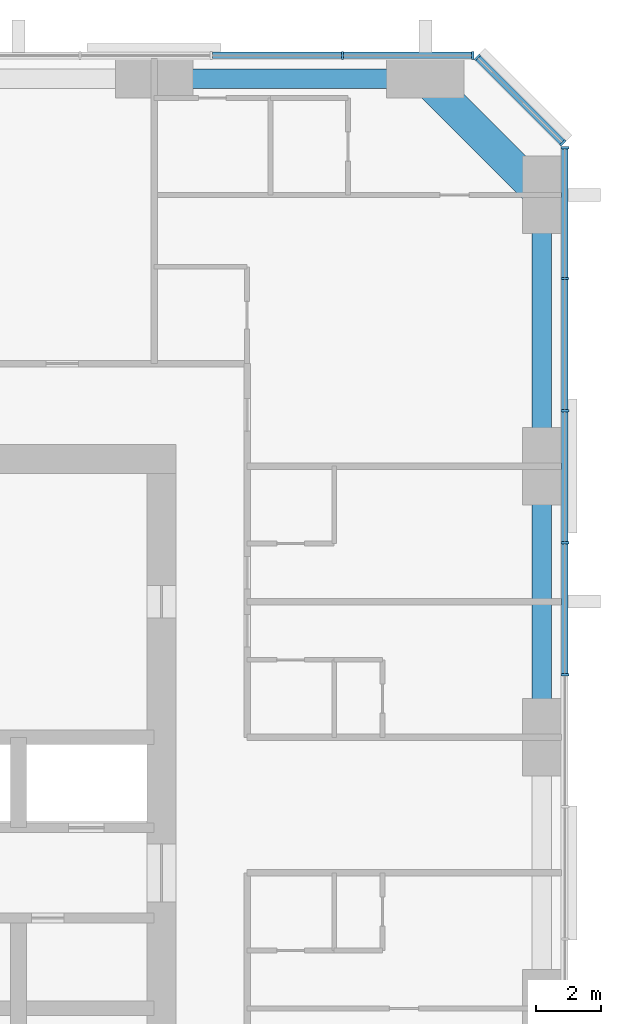
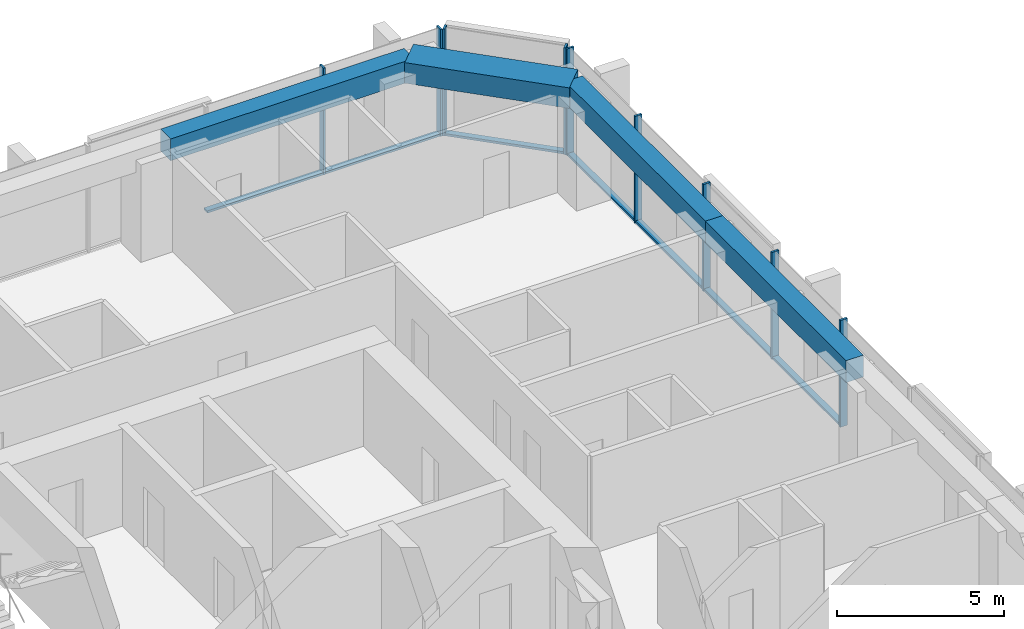
# One storey, part 5 of 12: 16 members, 4 beams, 3 elements without a shape of their own.
"""IFC4 building model written with IfcOpenShell, lengths in metres."""

import ifcopenshell
import ifcopenshell.guid

model = None  # the IFC model being written
_history = None  # IfcOwnerHistory: only IFC2X3 demands one
_inside = {}  # id of a spatial element -> (the spatial element, [elements in it])
_under = {}  # id of a project, library or spatial element -> (it, [spatial elements below it])
_declared = {}  # id of a project -> (the project, [libraries it declares])
_typed = {}  # id of a type object -> (the type object, [elements of that type])
_made_of = {}  # id of a material, layer set ... -> (it, [elements and type objects made of it])


def new_model(schema):
    """Start an empty IFC model of exactly this schema.

    Asked for "IFC4X3", IfcOpenShell would pick the latest addendum, in which some entities
    have other attributes; the version numbers below select the first issue.
    IFC2X3 requires an IfcOwnerHistory on every rooted entity: one is made here for all.
    """
    global model, _history
    if schema == "IFC4X3":
        model = ifcopenshell.file(schema_version=(4, 3, 0, 0))
    else:
        model = ifcopenshell.file(schema=schema)
    _inside.clear()
    _under.clear()
    _declared.clear()
    _typed.clear()
    _made_of.clear()
    _history = None
    if model.schema == "IFC2X3":
        org = make("IfcOrganization", Name="unknown")
        user = make(
            "IfcPersonAndOrganization",
            ThePerson=make("IfcPerson", FamilyName="unknown"),
            TheOrganization=org,
        )
        app = make(
            "IfcApplication",
            ApplicationDeveloper=org,
            Version="unknown",
            ApplicationFullName="unknown",
            ApplicationIdentifier="unknown",
        )
        _history = make(
            "IfcOwnerHistory",
            OwningUser=user,
            OwningApplication=app,
            ChangeAction="ADDED",
            CreationDate=0,
        )
    return model


def make(cls, **values):
    """One entity of the class cls with the attributes given. An attribute that is None is left unset."""
    return model.create_entity(
        cls, **{name: value for name, value in values.items() if value is not None}
    )


def rooted(cls, **values):
    """An entity with a GlobalId (a new one), such as an element, a storey or a relation."""
    return make(cls, GlobalId=ifcopenshell.guid.new(), OwnerHistory=_history, **values)


def si_unit(unit_type, name, prefix=None):
    """IfcSIUnit, for example si_unit("LENGTHUNIT", "METRE", prefix="MILLI")."""
    return make("IfcSIUnit", UnitType=unit_type, Prefix=prefix, Name=name)


def assignment(units):
    """IfcUnitAssignment: the units of a project."""
    return None if units is None else make("IfcUnitAssignment", Units=units)


def point(xyz):
    """IfcCartesianPoint."""
    return None if xyz is None else make("IfcCartesianPoint", Coordinates=xyz)


def direction(xyz):
    """IfcDirection."""
    return None if xyz is None else make("IfcDirection", DirectionRatios=xyz)


def frame(location, z_axis=None, x_axis=None):
    """IfcAxis2Placement3D, a coordinate frame: its origin and axes. An axis left out is left unset."""
    return make(
        "IfcAxis2Placement3D",
        Location=point(location),
        Axis=direction(z_axis),
        RefDirection=direction(x_axis),
    )


def frame_2d(location, x_axis=None):
    """IfcAxis2Placement2D, a coordinate frame in the plane: its origin and x axis."""
    return make(
        "IfcAxis2Placement2D", Location=point(location), RefDirection=direction(x_axis)
    )


def origin():
    """The frame at (0, 0, 0) with its axes left unset."""
    return frame((0.0, 0.0, 0.0))


def origin_2d():
    """The frame at (0, 0) in the plane with its x axis left unset."""
    return frame_2d((0.0, 0.0))


def place(relative_to, where):
    """IfcLocalPlacement: puts the frame where relative to a parent placement (None: the world)."""
    return make(
        "IfcLocalPlacement", PlacementRelTo=relative_to, RelativePlacement=where
    )


def context(
    kind, dimensions, precision=None, world=None, true_north=None, identifier=None
):
    """IfcGeometricRepresentationContext, for example the 3D "Model" context."""
    return make(
        "IfcGeometricRepresentationContext",
        ContextIdentifier=identifier,
        ContextType=kind,
        CoordinateSpaceDimension=dimensions,
        Precision=precision,
        WorldCoordinateSystem=world,
        TrueNorth=true_north,
    )


def subcontext(parent, identifier, kind, view, scale=None):
    """IfcGeometricRepresentationSubContext, for example "Body" below "Model"."""
    return make(
        "IfcGeometricRepresentationSubContext",
        ContextIdentifier=identifier,
        ContextType=kind,
        ParentContext=parent,
        TargetScale=scale,
        TargetView=view,
    )


def project(units=None, contexts=None):
    """IfcProject with its units and contexts."""
    return rooted(
        "IfcProject",
        Name="project",
        RepresentationContexts=contexts,
        UnitsInContext=assignment(units),
    )


def spatial(cls, under=None, at=None, **own):
    """A site, building, storey or space (cls), placed at a placement, below another one or the project."""
    s = rooted(cls, ObjectPlacement=at, **own)
    if under is not None:
        _under.setdefault(under.id(), (under, []))[1].append(s)
    return s


def profile(cls, at=None, kind="AREA", **sizes):
    """A parametric profile (cls). Its sizes go by their IFC names, for example OverallWidth=200.0."""
    return make(cls, ProfileType=kind, Position=at, **sizes)


def rectangle(**sizes):
    """IfcRectangleProfileDef."""
    return profile("IfcRectangleProfileDef", **sizes)


def extrude(swept, where, along, depth):
    """IfcExtrudedAreaSolid: the profile swept, set in the frame where, extruded along a direction by depth."""
    return make(
        "IfcExtrudedAreaSolid",
        SweptArea=swept,
        Position=where,
        ExtrudedDirection=direction(along),
        Depth=depth,
    )


def shape(context_of_items, identifier, shape_type, items):
    """IfcShapeRepresentation: the items that make up one representation, for example the "Body"."""
    return make(
        "IfcShapeRepresentation",
        ContextOfItems=context_of_items,
        RepresentationIdentifier=identifier,
        RepresentationType=shape_type,
        Items=items,
    )


def material(Name=None, Category=None):
    """IfcMaterial."""
    return make("IfcMaterial", Name=Name, Category=Category)


def material_profile(
    of_material, cross_section, Name=None, Category=None, Priority=None
):
    """IfcMaterialProfile: a cross section and its material."""
    return make(
        "IfcMaterialProfile",
        Name=Name,
        Material=of_material,
        Profile=cross_section,
        Priority=Priority,
        Category=Category,
    )


def profile_set(profiles, Name=None, composite=None):
    """IfcMaterialProfileSet."""
    return make(
        "IfcMaterialProfileSet",
        Name=Name,
        MaterialProfiles=profiles,
        CompositeProfile=composite,
    )


def made_of(thing, what):
    """Note that an element or type object is made of a material, layer set ...; save() writes the relation."""
    if what is not None:
        _made_of.setdefault(what.id(), (what, []))[1].append(thing)
    return thing


def type_object(cls, material=None, **own):
    """A type object (cls), such as IfcWallType, which elements share."""
    return made_of(rooted(cls, **own), material)


def element(
    cls,
    number,
    at=None,
    inside=None,
    cuts=None,
    type_object=None,
    material=None,
    context=None,
    identifier="Body",
    shape_type=None,
    held_by="IfcProductDefinitionShape",
    body=None,
    shapes=None,
    **own,
):
    """One element of the class cls, such as IfcWall. Its Tag is "e" and its number.

    at: its placement. inside: the storey or other place that contains it. cuts: it is an
    opening in that element (IfcRelVoidsElement). A single representation is given by context,
    identifier, shape_type and body (its items); several are given by shapes. held_by: the class
    of the entity that holds the representations. save() writes the other relations.
    """
    e = rooted(cls, Tag="e%d" % number, ObjectPlacement=at, **own)
    if body is not None:
        shapes = [shape(context, identifier, shape_type, body)]
    if shapes is not None:
        e.Representation = make(held_by, Representations=shapes)
    if inside is not None:
        _inside.setdefault(inside.id(), (inside, []))[1].append(e)
    if cuts is not None:
        rooted(
            "IfcRelVoidsElement", RelatingBuildingElement=cuts, RelatedOpeningElement=e
        )
    if type_object is not None:
        _typed.setdefault(type_object.id(), (type_object, []))[1].append(e)
    return made_of(e, material)


def aggregate(whole, parts):
    """IfcRelAggregates: a whole, such as a stair, and the parts it consists of."""
    return rooted("IfcRelAggregates", RelatingObject=whole, RelatedObjects=parts)


def save(model, path):
    """Write the relations noted so far, then the file.

    IfcRelAggregates (storeys below a building ...), IfcRelContainedInSpatialStructure (elements
    in a storey), IfcRelDefinesByType, IfcRelAssociatesMaterial and IfcRelDeclares: one each for
    every whole, place, type object, material and project.
    """
    for whole, parts in _under.values():
        aggregate(whole, parts)
    for where, things in _inside.values():
        rooted(
            "IfcRelContainedInSpatialStructure",
            RelatedElements=things,
            RelatingStructure=where,
        )
    for kind, things in _typed.values():
        rooted("IfcRelDefinesByType", RelatedObjects=things, RelatingType=kind)
    for what, things in _made_of.values():
        rooted("IfcRelAssociatesMaterial", RelatedObjects=things, RelatingMaterial=what)
    for by, libraries in _declared.values():
        rooted("IfcRelDeclares", RelatingContext=by, RelatedDefinitions=libraries)
    model.write(path)


model = new_model("IFC4")

# Units and contexts
model_context = context("Model", 3, precision=1e-05, world=origin(), true_north=direction((0.0, 1.0)))
body_context = subcontext(model_context, "Body", "Model", "MODEL_VIEW")
ifc_project = project(units=[si_unit("LENGTHUNIT", "METRE"), si_unit("AREAUNIT", "SQUARE_METRE"), si_unit("VOLUMEUNIT", "CUBIC_METRE"), si_unit("PLANEANGLEUNIT", "RADIAN"), si_unit("MASSUNIT", "GRAM", prefix="KILO")], contexts=[model_context])

# Site, building, storey
site_placement = place(None, origin())
site = spatial("IfcSite", under=ifc_project, at=site_placement, CompositionType="ELEMENT")
building_placement = place(site_placement, origin())
building = spatial("IfcBuilding", under=site, at=building_placement, Name="Dunama Terrace Hotel", CompositionType="ELEMENT")
storey_placement = place(building_placement, frame((0.0, 0.0, 233.39990234375)))
storey = spatial("IfcBuildingStorey", under=building, at=storey_placement, Name="L60", CompositionType="ELEMENT", Elevation=233.39990234375)

# Curtain wall, members
ifc_material_1 = material(Name="Aluminium curtain wall system", Category="aluminium")
curtain_wall_type = type_object("IfcCurtainWallType", Name="Unitised fritted glass wall CW-D", PredefinedType="NOTDEFINED", material=ifc_material_1)
curtain_wall_1_placement = place(storey_placement, origin())
curtain_wall_1 = element("IfcCurtainWall", 1, at=curtain_wall_1_placement, inside=storey, type_object=curtain_wall_type, Name="Unitised fritted glass wall CW-D L60", PredefinedType="NOTDEFINED")
ifc_material_2 = material(Name="Aluminium mullion", Category="aluminium")
ifc_material_profile_1 = material_profile(ifc_material_2, rectangle(XDim=0.070068359375, YDim=0.239990234375, at=origin_2d()), Name="CWD MULLION 70X240")
ifc_profile_set_1 = profile_set([ifc_material_profile_1], Name="Aluminium mullion")
member_type_1 = type_object("IfcMemberType", Name="CWD mullion 70x240", PredefinedType="MULLION", material=ifc_profile_set_1)
member_1_placement = place(storey_placement, frame((54.719970703125, 35.535888671875, 0.0), z_axis=(0.0, 0.0, 1.0), x_axis=(0.0, 1.0, 0.0)))
member_1 = element("IfcMember", 2, at=member_1_placement, type_object=member_type_1, Name="CWD mullion", PredefinedType="MULLION", context=body_context, shape_type="SweptSolid", body=[
    extrude(rectangle(XDim=0.070068359375, YDim=0.239990234375, at=origin_2d()), origin(), (0.0, 0.0, 1.0), 3.900146484375),
])
member_2_placement = place(storey_placement, frame((54.719970703125, 39.626953125, 0.0), z_axis=(0.0, 0.0, 1.0), x_axis=(0.0, 1.0, 0.0)))
member_2 = element("IfcMember", 3, at=member_2_placement, type_object=member_type_1, Name="CWD mullion", PredefinedType="MULLION", context=body_context, shape_type="SweptSolid", body=[
    extrude(rectangle(XDim=0.070068359375, YDim=0.239990234375, at=origin_2d()), origin(), (0.0, 0.0, 1.0), 3.900146484375),
])
member_3_placement = place(storey_placement, frame((54.719970703125, 43.718017578125, 0.0), z_axis=(0.0, 0.0, 1.0), x_axis=(0.0, 1.0, 0.0)))
member_3 = element("IfcMember", 4, at=member_3_placement, type_object=member_type_1, Name="CWD mullion", PredefinedType="MULLION", context=body_context, shape_type="SweptSolid", body=[
    extrude(rectangle(XDim=0.070068359375, YDim=0.239990234375, at=origin_2d()), origin(), (0.0, 0.0, 1.0), 3.900146484375),
])
member_4_placement = place(storey_placement, frame((54.719970703125, 47.80908203125, 0.0), z_axis=(0.0, 0.0, 1.0), x_axis=(0.0, 1.0, 0.0)))
member_4 = element("IfcMember", 5, at=member_4_placement, type_object=member_type_1, Name="CWD mullion", PredefinedType="MULLION", context=body_context, shape_type="SweptSolid", body=[
    extrude(rectangle(XDim=0.070068359375, YDim=0.239990234375, at=origin_2d()), origin(), (0.0, 0.0, 1.0), 3.900146484375),
])
member_5_placement = place(storey_placement, frame((54.719970703125, 51.864990234375, 0.0), z_axis=(0.0, 0.0, 1.0), x_axis=(0.0, 1.0, 0.0)))
member_5 = element("IfcMember", 6, at=member_5_placement, type_object=member_type_1, Name="CWD mullion", PredefinedType="MULLION", context=body_context, shape_type="SweptSolid", body=[
    extrude(rectangle(XDim=0.070068359375, YDim=0.239990234375, at=origin_2d()), origin(), (0.0, 0.0, 1.0), 3.900146484375),
])

curtain_wall_2_placement = place(storey_placement, origin())
curtain_wall_2 = element("IfcCurtainWall", 7, at=curtain_wall_2_placement, inside=storey, type_object=curtain_wall_type, Name="Unitised fritted glass wall CW-D L60", PredefinedType="NOTDEFINED")
member_6_placement = place(storey_placement, frame((54.659912109375, 52.010009765625, 0.0), z_axis=(0.0, 0.0, 1.0), x_axis=(-0.707106781187, 0.707106781187, 0.0)))
member_6 = element("IfcMember", 8, at=member_6_placement, type_object=member_type_1, Name="CWD mullion", PredefinedType="MULLION", context=body_context, shape_type="SweptSolid", body=[
    extrude(rectangle(XDim=0.070068359375, YDim=0.239990234375, at=origin_2d()), origin(), (0.0, 0.0, 1.0), 3.900146484375),
])
member_7_placement = place(storey_placement, frame((52.010009765625, 54.659912109375, 0.0), z_axis=(0.0, 0.0, 1.0), x_axis=(-0.707106781187, 0.707106781187, 0.0)))
member_7 = element("IfcMember", 9, at=member_7_placement, type_object=member_type_1, Name="CWD mullion", PredefinedType="MULLION", context=body_context, shape_type="SweptSolid", body=[
    extrude(rectangle(XDim=0.070068359375, YDim=0.239990234375, at=origin_2d()), origin(), (0.0, 0.0, 1.0), 3.900146484375),
])

curtain_wall_3_placement = place(storey_placement, origin())
curtain_wall_3 = element("IfcCurtainWall", 10, at=curtain_wall_3_placement, inside=storey, type_object=curtain_wall_type, Name="Unitised fritted glass wall CW-D L60", PredefinedType="NOTDEFINED")
member_8_placement = place(storey_placement, frame((51.864990234375, 54.719970703125, 0.0), z_axis=(0.0, 0.0, 1.0), x_axis=(-1.0, 0.0, 0.0)))
member_8 = element("IfcMember", 11, at=member_8_placement, type_object=member_type_1, Name="CWD mullion", PredefinedType="MULLION", context=body_context, shape_type="SweptSolid", body=[
    extrude(rectangle(XDim=0.070068359375, YDim=0.239990234375, at=origin_2d()), origin(), (0.0, 0.0, 1.0), 3.900146484375),
])
member_9_placement = place(storey_placement, frame((47.8330078125, 54.719970703125, 0.0), z_axis=(0.0, 0.0, 1.0), x_axis=(-1.0, 0.0, 0.0)))
member_9 = element("IfcMember", 12, at=member_9_placement, type_object=member_type_1, Name="CWD mullion", PredefinedType="MULLION", context=body_context, shape_type="SweptSolid", body=[
    extrude(rectangle(XDim=0.070068359375, YDim=0.239990234375, at=origin_2d()), origin(), (0.0, 0.0, 1.0), 3.900146484375),
])

# Member
ifc_material_3 = material(Name="Aluminium transom", Category="aluminium")
ifc_material_profile_2 = material_profile(ifc_material_3, rectangle(XDim=0.199951171875, YDim=0.0849609375, at=origin_2d()), Name="CWD TRANSOM 200X85")
ifc_profile_set_2 = profile_set([ifc_material_profile_2], Name="Aluminium transom")
member_type_2 = type_object("IfcMemberType", Name="CWD transom 200x85", PredefinedType="USERDEFINED", material=ifc_profile_set_2)
member_10_placement = place(storey_placement, frame((54.719970703125, 35.571044921875, 0.04248046875), z_axis=(0.0, 1.0, 0.0), x_axis=(-1.0, 0.0, 0.0)))
member_10 = element("IfcMember", 13, at=member_10_placement, type_object=member_type_2, Name="CWD transom", ObjectType="TRANSOM", PredefinedType="USERDEFINED", context=body_context, shape_type="SweptSolid", body=[
    extrude(rectangle(XDim=0.199951171875, YDim=0.0849609375, at=origin_2d()), origin(), (0.0, 0.0, 1.0), 4.02099609375),
])

member_11_placement = place(storey_placement, frame((54.719970703125, 39.662109375, 0.04248046875), z_axis=(0.0, 1.0, 0.0), x_axis=(-1.0, 0.0, 0.0)))
member_11 = element("IfcMember", 14, at=member_11_placement, type_object=member_type_2, Name="CWD transom", ObjectType="TRANSOM", PredefinedType="USERDEFINED", context=body_context, shape_type="SweptSolid", body=[
    extrude(rectangle(XDim=0.199951171875, YDim=0.0849609375, at=origin_2d()), origin(), (0.0, 0.0, 1.0), 4.02099609375),
])

member_12_placement = place(storey_placement, frame((54.719970703125, 43.7529296875, 0.04248046875), z_axis=(0.0, 1.0, 0.0), x_axis=(-1.0, 0.0, 0.0)))
member_12 = element("IfcMember", 15, at=member_12_placement, type_object=member_type_2, Name="CWD transom", ObjectType="TRANSOM", PredefinedType="USERDEFINED", context=body_context, shape_type="SweptSolid", body=[
    extrude(rectangle(XDim=0.199951171875, YDim=0.0849609375, at=origin_2d()), origin(), (0.0, 0.0, 1.0), 4.02099609375),
])

member_13_placement = place(storey_placement, frame((54.719970703125, 47.843994140625, 0.04248046875), z_axis=(0.0, 1.0, 0.0), x_axis=(-1.0, 0.0, 0.0)))
member_13 = element("IfcMember", 16, at=member_13_placement, type_object=member_type_2, Name="CWD transom", ObjectType="TRANSOM", PredefinedType="USERDEFINED", context=body_context, shape_type="SweptSolid", body=[
    extrude(rectangle(XDim=0.199951171875, YDim=0.0849609375, at=origin_2d()), origin(), (0.0, 0.0, 1.0), 3.986083984375),
])

aggregate(curtain_wall_1, [member_1, member_2, member_3, member_4, member_5, member_10, member_11, member_12, member_13])

member_14_placement = place(storey_placement, frame((54.635009765625, 52.033935546875, 0.04248046875), z_axis=(-0.707106781187, 0.707106781187, 0.0), x_axis=(-0.707106781187, -0.707106781187, 0.0)))
member_14 = element("IfcMember", 17, at=member_14_placement, type_object=member_type_2, Name="CWD transom", ObjectType="TRANSOM", PredefinedType="USERDEFINED", context=body_context, shape_type="SweptSolid", body=[
    extrude(rectangle(XDim=0.199951171875, YDim=0.0849609375, at=origin_2d()), origin(), (0.0, 0.0, 1.0), 3.678466796875),
])

aggregate(curtain_wall_2, [member_6, member_7, member_14])

member_15_placement = place(storey_placement, frame((51.830078125, 54.719970703125, 0.04248046875), z_axis=(-1.0, 0.0, 0.0), x_axis=(0.0, -1.0, 0.0)))
member_15 = element("IfcMember", 18, at=member_15_placement, type_object=member_type_2, Name="CWD transom", ObjectType="TRANSOM", PredefinedType="USERDEFINED", context=body_context, shape_type="SweptSolid", body=[
    extrude(rectangle(XDim=0.199951171875, YDim=0.0849609375, at=origin_2d()), origin(), (0.0, 0.0, 1.0), 3.962158203125),
])

member_16_placement = place(storey_placement, frame((47.798095703125, 54.719970703125, 0.04248046875), z_axis=(-1.0, 0.0, 0.0), x_axis=(0.0, -1.0, 0.0)))
member_16 = element("IfcMember", 19, at=member_16_placement, type_object=member_type_2, Name="CWD transom", ObjectType="TRANSOM", PredefinedType="USERDEFINED", context=body_context, shape_type="SweptSolid", body=[
    extrude(rectangle(XDim=0.199951171875, YDim=0.0849609375, at=origin_2d()), origin(), (0.0, 0.0, 1.0), 3.99609375),
])

aggregate(curtain_wall_3, [member_8, member_9, member_15, member_16])

# Beams
ifc_material_4 = material(Name="Concrete C50/60", Category="concrete")
ifc_material_profile_3 = material_profile(ifc_material_4, rectangle(XDim=1.0, YDim=0.75, at=origin_2d()), Name="RC 1000x750")
ifc_profile_set_3 = profile_set([ifc_material_profile_3], Name="Concrete C50/60")
beam_type_1 = type_object("IfcBeamType", Name="Edge beam RC 1000x750", PredefinedType="SPANDREL", material=ifc_profile_set_3)
beam_placement = place(storey_placement, frame((50.39990234375, 54.0, 3.525146484375), z_axis=(0.707106781187, -0.707106781187, 0.0), x_axis=(0.707106781187, 0.707106781187, 0.0)))
element("IfcBeam", 20, at=beam_placement, inside=storey, type_object=beam_type_1, Name="Corner edge beam under L61", PredefinedType="SPANDREL", context=body_context, shape_type="SweptSolid", body=[
    extrude(rectangle(XDim=1.0, YDim=0.75, at=origin_2d()), origin(), (0.0, 0.0, 1.0), 5.09130859375),
])
ifc_material_5 = material(Name="Concrete C40/50", Category="concrete")
ifc_material_profile_4 = material_profile(ifc_material_5, rectangle(XDim=0.60009765625, YDim=0.800048828125, at=origin_2d()), Name="RC 600x800")
ifc_profile_set_4 = profile_set([ifc_material_profile_4], Name="Concrete C40/50")
beam_type_2 = type_object("IfcBeamType", Name="Edge beam RC 600x800", PredefinedType="SPANDREL", material=ifc_profile_set_4)
for number, where, z_axis, x_axis, name in (
    (21, (54.0, 33.60009765625, 3.5), (0.0, 1.0, 0.0), (-1.0, 0.0, 0.0), "Edge beam under L61"),
    (22, (54.0, 42.0, 3.5), (0.0, 1.0, 0.0), (-1.0, 0.0, 0.0), "Edge beam under L61"),
    (23, (42.0, 54.0, 3.5), (1.0, 0.0, 0.0), (0.0, 1.0, 0.0), "Edge beam under L61"),
):
    element("IfcBeam", number, at=place(storey_placement, frame(where, z_axis=z_axis, x_axis=x_axis)), inside=storey, type_object=beam_type_2, Name=name, PredefinedType="SPANDREL", context=body_context, shape_type="SweptSolid", body=[
        extrude(rectangle(XDim=0.60009765625, YDim=0.800048828125, at=origin_2d()), origin(), (0.0, 0.0, 1.0), 8.39990234375),
    ])

save(model, "model.ifc")
